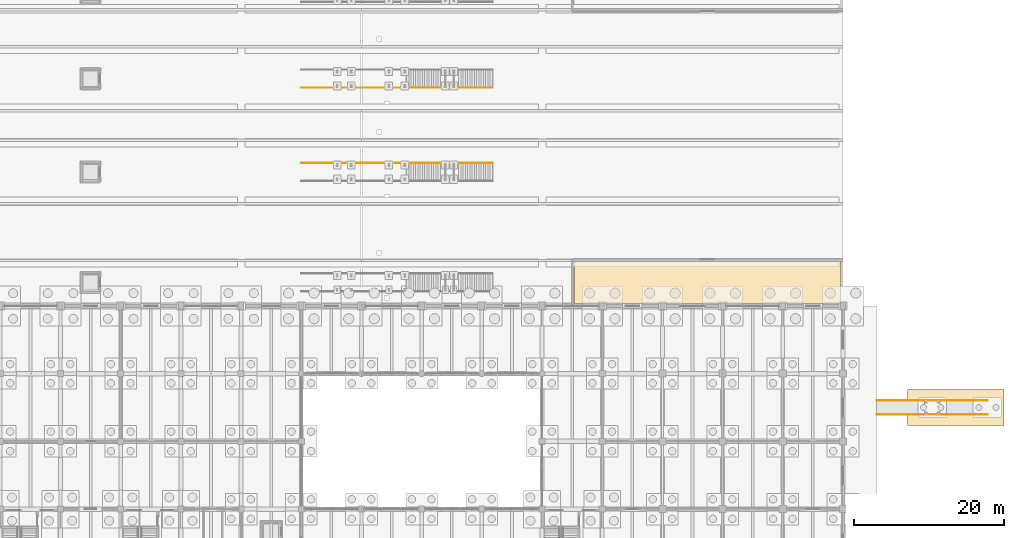
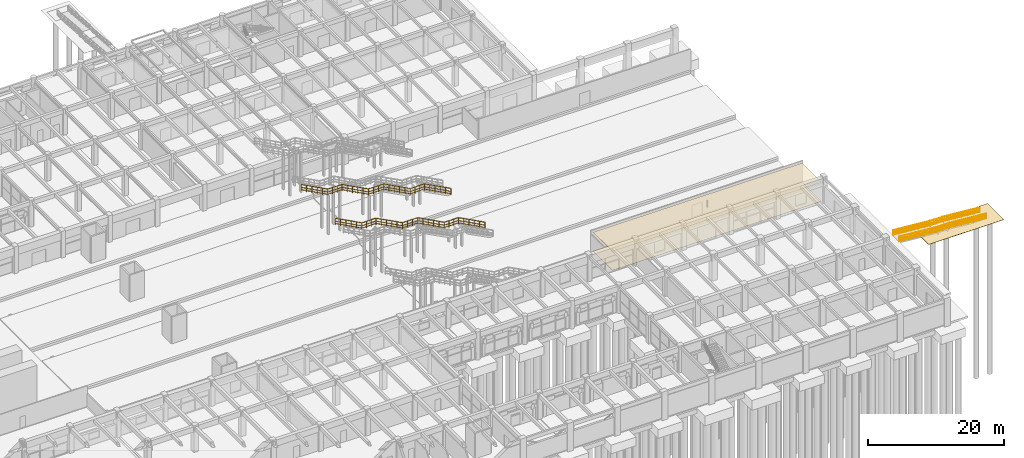
# One storey, part 143 of 147: 4 railings, 3 coverings.
"""IFC4 building model written with IfcOpenShell, lengths in metres."""

from ifc_helpers import new_model, si_unit, direction, frame, origin, origin_2d, place, context, subcontext, project, spatial, polyline, circle, outline, extrude, material, layer, layer_set, type_object, element, save


model = new_model("IFC4")

# Units and contexts
model_context = context("Model", 3, precision=1e-05, world=origin(), true_north=direction((0.0, 1.0)))
body_context = subcontext(model_context, "Body", "Model", "MODEL_VIEW")
ifc_project = project(units=[si_unit("LENGTHUNIT", "METRE"), si_unit("AREAUNIT", "SQUARE_METRE"), si_unit("VOLUMEUNIT", "CUBIC_METRE"), si_unit("PLANEANGLEUNIT", "RADIAN"), si_unit("MASSUNIT", "GRAM", prefix="KILO")], contexts=[model_context])

# Site, building, storey
site_placement = place(None, origin())
site = spatial("IfcSite", under=ifc_project, at=site_placement, CompositionType="ELEMENT")
building_placement = place(site_placement, origin())
building = spatial("IfcBuilding", under=site, at=building_placement, Name="Varnabhumi Central Station", CompositionType="ELEMENT")
storey_placement = place(building_placement, origin())
storey = spatial("IfcBuildingStorey", under=building, at=storey_placement, Name="L00", CompositionType="ELEMENT", Elevation=0.0)

# Coverings
ifc_material_1 = material(Name="Mineral-fibre acoustic tile")
ifc_layer_1 = layer(ifc_material_1, 0.02490234375, Name="Mineral-fibre acoustic tile")
ifc_layer_set_1 = layer_set([ifc_layer_1], Name="Mineral-fibre acoustic tile")
covering_type_1 = type_object("IfcCoveringType", Name="COV-CEIL-ACOUSTIC", PredefinedType="CEILING", material=ifc_layer_set_1)
covering_1_placement = place(storey_placement, frame((0.0, 0.0, 3.419921875)))
element("IfcCovering", 1, at=covering_1_placement, inside=storey, type_object=covering_type_1, Name="Platform 1 Seated Waiting Shelter Acoustic Ceiling", PredefinedType="CEILING", context=body_context, shape_type="SweptSolid", body=[
    extrude(outline(polyline([(148.25, 36.25), (183.75, 36.25), (183.75, 41.949951171875), (148.25, 41.949951171875), (148.25, 36.25)])), origin(), (0.0, 0.0, 1.0), 0.025146484375),
])
ifc_material_2 = material(Name="Vitrified granite stone flooring", Category="masonry")
ifc_layer_2 = layer(ifc_material_2, 0.030029296875, Name="Vitrified granite stone flooring", Category="masonry")
ifc_layer_set_2 = layer_set([ifc_layer_2], Name="Vitrified granite stone flooring")
covering_type_2 = type_object("IfcCoveringType", Name="COV-FLOR-GRANITE", PredefinedType="FLOORING", material=ifc_layer_set_2)
covering_2_placement = place(storey_placement, frame((0.0, 0.0, -1.0849609375)))
element("IfcCovering", 2, at=covering_2_placement, inside=storey, type_object=covering_type_2, Name="Street Forecourt Granite Plaza Apron RMP-WS-1", PredefinedType="FLOORING", context=body_context, shape_type="SweptSolid", body=[
    extrude(outline(polyline([(192.60009765625, 20.10009765625), (205.39990234375, 20.10009765625), (205.39990234375, 24.89990234375), (192.60009765625, 24.89990234375), (192.60009765625, 20.10009765625)])), origin(), (0.0, 0.0, 1.0), 0.034912109375),
])
covering_3_placement = place(storey_placement, origin())
element("IfcCovering", 3, at=covering_3_placement, inside=storey, type_object=covering_type_2, Name="Platform 1 Seated Waiting Shelter Granite Flooring", PredefinedType="FLOORING", context=body_context, shape_type="SweptSolid", body=[
    extrude(outline(polyline([(148.25, 36.25), (183.75, 36.25), (183.75, 41.949951171875), (148.25, 41.949951171875), (148.25, 36.25)])), origin(), (0.0, 0.0, 1.0), 0.030029296875),
])

# Railings
ifc_material_3 = material(Name="Stainless steel Grade 316", Category="steel")
railing_type_1 = type_object("IfcRailingType", Name="RAIL-RAMP-920", PredefinedType="HANDRAIL", material=ifc_material_3)
railing_1_placement = place(storey_placement, frame((203.199951171875, 21.580078125, -1.050048828125)))
element("IfcRailing", 4, at=railing_1_placement, inside=storey, type_object=railing_type_1, Name="RMP-WS-1 Handrail L", PredefinedType="HANDRAIL", context=body_context, shape_type="SweptSolid", body=[
    extrude(circle(Radius=0.02392578125, at=origin_2d()), frame((0.0, 0.0, 0.89599609375), z_axis=(-0.996543893665, 0.0, 0.083067851783), x_axis=(0.0, -1.0, 0.0)), (0.0, 0.0, 1.0), 6.32177734375),
    extrude(circle(Radius=0.01416015625, at=origin_2d()), frame((0.0, 0.0, 0.478271484375), z_axis=(-0.996543893665, 0.0, 0.083067851783), x_axis=(0.0, -1.0, 0.0)), (0.0, 0.0, 1.0), 6.32177734375),
    extrude(circle(Radius=0.01416015625, at=origin_2d()), frame((0.0, 0.0, 0.147216796875), z_axis=(-0.996543893665, 0.0, 0.083067851783), x_axis=(0.0, -1.0, 0.0)), (0.0, 0.0, 1.0), 6.32177734375),
    extrude(circle(Radius=0.02392578125, at=origin_2d()), frame((-6.300048828125, 0.0, 1.4208984375), z_axis=(-1.0, 0.0, 0.0), x_axis=(0.0, -1.0, 0.0)), (0.0, 0.0, 1.0), 2.099853515625),
    extrude(circle(Radius=0.01416015625, at=origin_2d()), frame((-6.300048828125, 0.0, 1.00341796875), z_axis=(-1.0, 0.0, 0.0), x_axis=(0.0, -1.0, 0.0)), (0.0, 0.0, 1.0), 2.099853515625),
    extrude(circle(Radius=0.01416015625, at=origin_2d()), frame((-6.300048828125, 0.0, 0.67236328125), z_axis=(-1.0, 0.0, 0.0), x_axis=(0.0, -1.0, 0.0)), (0.0, 0.0, 1.0), 2.099853515625),
    extrude(circle(Radius=0.02392578125, at=origin_2d()), frame((-8.39990234375, 0.0, 1.4208984375), z_axis=(-0.996547089785, 0.0, 0.083029499827), x_axis=(0.0, -1.0, 0.0)), (0.0, 0.0, 1.0), 6.32177734375),
    extrude(circle(Radius=0.01416015625, at=origin_2d()), frame((-8.39990234375, 0.0, 1.00341796875), z_axis=(-0.996547089785, 0.0, 0.083029499827), x_axis=(0.0, -1.0, 0.0)), (0.0, 0.0, 1.0), 6.32177734375),
    extrude(circle(Radius=0.01416015625, at=origin_2d()), frame((-8.39990234375, 0.0, 0.67236328125), z_axis=(-0.996547089785, 0.0, 0.083029499827), x_axis=(0.0, -1.0, 0.0)), (0.0, 0.0, 1.0), 6.32177734375),
    extrude(circle(Radius=0.02099609375, at=origin_2d()), origin(), (0.0, 0.0, 1.0), 0.871826171875),
    extrude(circle(Radius=0.02099609375, at=origin_2d()), frame((-1.050048828125, 0.0, 0.08740234375)), (0.0, 0.0, 1.0), 0.871826171875),
    extrude(circle(Radius=0.02099609375, at=origin_2d()), frame((-2.10009765625, 0.0, 0.175048828125)), (0.0, 0.0, 1.0), 0.871826171875),
    extrude(circle(Radius=0.02099609375, at=origin_2d()), frame((-3.14990234375, 0.0, 0.2626953125)), (0.0, 0.0, 1.0), 0.871826171875),
    extrude(circle(Radius=0.02099609375, at=origin_2d()), frame((-4.199951171875, 0.0, 0.35009765625)), (0.0, 0.0, 1.0), 0.871826171875),
    extrude(circle(Radius=0.02099609375, at=origin_2d()), frame((-5.25, 0.0, 0.4375)), (0.0, 0.0, 1.0), 0.871826171875),
    extrude(circle(Radius=0.02099609375, at=origin_2d()), frame((-6.300048828125, 0.0, 0.525146484375)), (0.0, 0.0, 1.0), 0.871826171875),
    extrude(circle(Radius=0.02099609375, at=origin_2d()), frame((-7.35009765625, 0.0, 0.525146484375)), (0.0, 0.0, 1.0), 0.871826171875),
    extrude(circle(Radius=0.02099609375, at=origin_2d()), frame((-8.39990234375, 0.0, 0.525146484375)), (0.0, 0.0, 1.0), 0.871826171875),
    extrude(circle(Radius=0.02099609375, at=origin_2d()), frame((-9.449951171875, 0.0, 0.612548828125)), (0.0, 0.0, 1.0), 0.871826171875),
    extrude(circle(Radius=0.02099609375, at=origin_2d()), frame((-10.5, 0.0, 0.7001953125)), (0.0, 0.0, 1.0), 0.871826171875),
    extrude(circle(Radius=0.02099609375, at=origin_2d()), frame((-11.5498046875, 0.0, 0.78759765625)), (0.0, 0.0, 1.0), 0.871826171875),
    extrude(circle(Radius=0.02099609375, at=origin_2d()), frame((-12.599853515625, 0.0, 0.875)), (0.0, 0.0, 1.0), 0.871826171875),
    extrude(circle(Radius=0.02099609375, at=origin_2d()), frame((-13.64990234375, 0.0, 0.962646484375)), (0.0, 0.0, 1.0), 0.871826171875),
    extrude(circle(Radius=0.02099609375, at=origin_2d()), frame((-14.699951171875, 0.0, 1.050048828125)), (0.0, 0.0, 1.0), 0.871826171875),
])
railing_2_placement = place(storey_placement, frame((203.199951171875, 23.419921875, -1.050048828125)))
element("IfcRailing", 5, at=railing_2_placement, inside=storey, type_object=railing_type_1, Name="RMP-WS-1 Handrail R", PredefinedType="HANDRAIL", context=body_context, shape_type="SweptSolid", body=[
    extrude(circle(Radius=0.02392578125, at=origin_2d()), frame((0.0, 0.0, 0.89599609375), z_axis=(-0.996543893665, 0.0, 0.083067851783), x_axis=(0.0, -1.0, 0.0)), (0.0, 0.0, 1.0), 6.32177734375),
    extrude(circle(Radius=0.01416015625, at=origin_2d()), frame((0.0, 0.0, 0.478271484375), z_axis=(-0.996543893665, 0.0, 0.083067851783), x_axis=(0.0, -1.0, 0.0)), (0.0, 0.0, 1.0), 6.32177734375),
    extrude(circle(Radius=0.01416015625, at=origin_2d()), frame((0.0, 0.0, 0.147216796875), z_axis=(-0.996543893665, 0.0, 0.083067851783), x_axis=(0.0, -1.0, 0.0)), (0.0, 0.0, 1.0), 6.32177734375),
    extrude(circle(Radius=0.02392578125, at=origin_2d()), frame((-6.300048828125, 0.0, 1.4208984375), z_axis=(-1.0, 0.0, 0.0), x_axis=(0.0, -1.0, 0.0)), (0.0, 0.0, 1.0), 2.099853515625),
    extrude(circle(Radius=0.01416015625, at=origin_2d()), frame((-6.300048828125, 0.0, 1.00341796875), z_axis=(-1.0, 0.0, 0.0), x_axis=(0.0, -1.0, 0.0)), (0.0, 0.0, 1.0), 2.099853515625),
    extrude(circle(Radius=0.01416015625, at=origin_2d()), frame((-6.300048828125, 0.0, 0.67236328125), z_axis=(-1.0, 0.0, 0.0), x_axis=(0.0, -1.0, 0.0)), (0.0, 0.0, 1.0), 2.099853515625),
    extrude(circle(Radius=0.02392578125, at=origin_2d()), frame((-8.39990234375, 0.0, 1.4208984375), z_axis=(-0.996547089785, 0.0, 0.083029499827), x_axis=(0.0, -1.0, 0.0)), (0.0, 0.0, 1.0), 6.32177734375),
    extrude(circle(Radius=0.01416015625, at=origin_2d()), frame((-8.39990234375, 0.0, 1.00341796875), z_axis=(-0.996547089785, 0.0, 0.083029499827), x_axis=(0.0, -1.0, 0.0)), (0.0, 0.0, 1.0), 6.32177734375),
    extrude(circle(Radius=0.01416015625, at=origin_2d()), frame((-8.39990234375, 0.0, 0.67236328125), z_axis=(-0.996547089785, 0.0, 0.083029499827), x_axis=(0.0, -1.0, 0.0)), (0.0, 0.0, 1.0), 6.32177734375),
    extrude(circle(Radius=0.02099609375, at=origin_2d()), origin(), (0.0, 0.0, 1.0), 0.871826171875),
    extrude(circle(Radius=0.02099609375, at=origin_2d()), frame((-1.050048828125, 0.0, 0.08740234375)), (0.0, 0.0, 1.0), 0.871826171875),
    extrude(circle(Radius=0.02099609375, at=origin_2d()), frame((-2.10009765625, 0.0, 0.175048828125)), (0.0, 0.0, 1.0), 0.871826171875),
    extrude(circle(Radius=0.02099609375, at=origin_2d()), frame((-3.14990234375, 0.0, 0.2626953125)), (0.0, 0.0, 1.0), 0.871826171875),
    extrude(circle(Radius=0.02099609375, at=origin_2d()), frame((-4.199951171875, 0.0, 0.35009765625)), (0.0, 0.0, 1.0), 0.871826171875),
    extrude(circle(Radius=0.02099609375, at=origin_2d()), frame((-5.25, 0.0, 0.4375)), (0.0, 0.0, 1.0), 0.871826171875),
    extrude(circle(Radius=0.02099609375, at=origin_2d()), frame((-6.300048828125, 0.0, 0.525146484375)), (0.0, 0.0, 1.0), 0.871826171875),
    extrude(circle(Radius=0.02099609375, at=origin_2d()), frame((-7.35009765625, 0.0, 0.525146484375)), (0.0, 0.0, 1.0), 0.871826171875),
    extrude(circle(Radius=0.02099609375, at=origin_2d()), frame((-8.39990234375, 0.0, 0.525146484375)), (0.0, 0.0, 1.0), 0.871826171875),
    extrude(circle(Radius=0.02099609375, at=origin_2d()), frame((-9.449951171875, 0.0, 0.612548828125)), (0.0, 0.0, 1.0), 0.871826171875),
    extrude(circle(Radius=0.02099609375, at=origin_2d()), frame((-10.5, 0.0, 0.7001953125)), (0.0, 0.0, 1.0), 0.871826171875),
    extrude(circle(Radius=0.02099609375, at=origin_2d()), frame((-11.5498046875, 0.0, 0.78759765625)), (0.0, 0.0, 1.0), 0.871826171875),
    extrude(circle(Radius=0.02099609375, at=origin_2d()), frame((-12.599853515625, 0.0, 0.875)), (0.0, 0.0, 1.0), 0.871826171875),
    extrude(circle(Radius=0.02099609375, at=origin_2d()), frame((-13.64990234375, 0.0, 0.962646484375)), (0.0, 0.0, 1.0), 0.871826171875),
    extrude(circle(Radius=0.02099609375, at=origin_2d()), frame((-14.699951171875, 0.0, 1.050048828125)), (0.0, 0.0, 1.0), 0.871826171875),
])
railing_type_2 = type_object("IfcRailingType", Name="RAIL-STAIR-GRD-1150", PredefinedType="GUARDRAIL", material=ifc_material_3)
railing_3_placement = place(storey_placement, frame((137.39990234375, 55.0, 0.0)))
element("IfcRailing", 6, at=railing_3_placement, inside=storey, type_object=railing_type_2, Name="Platform 2 Concourse Stair Guard N", PredefinedType="GUARDRAIL", context=body_context, shape_type="SweptSolid", body=[
    extrude(circle(Radius=0.02392578125, at=origin_2d()), frame((0.0, 0.0, 1.1259765625), z_axis=(-0.882360891967, 0.0, 0.470573327259), x_axis=(0.0, -1.0, 0.0)), (0.0, 0.0, 1.0), 5.099853515625),
    extrude(circle(Radius=0.01416015625, at=origin_2d()), frame((0.0, 0.0, 0.597900390625), z_axis=(-0.882360891967, 0.0, 0.470573327259), x_axis=(0.0, -1.0, 0.0)), (0.0, 0.0, 1.0), 5.099853515625),
    extrude(circle(Radius=0.01416015625, at=origin_2d()), frame((0.0, 0.0, 0.18408203125), z_axis=(-0.882360891967, 0.0, 0.470573327259), x_axis=(0.0, -1.0, 0.0)), (0.0, 0.0, 1.0), 5.099853515625),
    extrude(circle(Radius=0.02392578125, at=origin_2d()), frame((-4.5, 0.0, 3.52587890625), z_axis=(-1.0, 0.0, 0.0), x_axis=(0.0, -1.0, 0.0)), (0.0, 0.0, 1.0), 2.39990234375),
    extrude(circle(Radius=0.01416015625, at=origin_2d()), frame((-4.5, 0.0, 2.997802734375), z_axis=(-1.0, 0.0, 0.0), x_axis=(0.0, -1.0, 0.0)), (0.0, 0.0, 1.0), 2.39990234375),
    extrude(circle(Radius=0.01416015625, at=origin_2d()), frame((-4.5, 0.0, 2.583984375), z_axis=(-1.0, 0.0, 0.0), x_axis=(0.0, -1.0, 0.0)), (0.0, 0.0, 1.0), 2.39990234375),
    extrude(circle(Radius=0.02392578125, at=origin_2d()), frame((-6.89990234375, 0.0, 3.52587890625), z_axis=(-0.882341014787, 0.0, 0.470610596591), x_axis=(0.0, -1.0, 0.0)), (0.0, 0.0, 1.0), 5.10009765625),
    extrude(circle(Radius=0.01416015625, at=origin_2d()), frame((-6.89990234375, 0.0, 2.997802734375), z_axis=(-0.882341014787, 0.0, 0.470610596591), x_axis=(0.0, -1.0, 0.0)), (0.0, 0.0, 1.0), 5.10009765625),
    extrude(circle(Radius=0.01416015625, at=origin_2d()), frame((-6.89990234375, 0.0, 2.583984375), z_axis=(-0.882341014787, 0.0, 0.470610596591), x_axis=(0.0, -1.0, 0.0)), (0.0, 0.0, 1.0), 5.10009765625),
    extrude(circle(Radius=0.02392578125, at=origin_2d()), frame((-11.39990234375, 0.0, 5.92578125), z_axis=(-1.0, 0.0, 0.0), x_axis=(0.0, -1.0, 0.0)), (0.0, 0.0, 1.0), 2.60009765625),
    extrude(circle(Radius=0.01416015625, at=origin_2d()), frame((-11.39990234375, 0.0, 5.39794921875), z_axis=(-1.0, 0.0, 0.0), x_axis=(0.0, -1.0, 0.0)), (0.0, 0.0, 1.0), 2.60009765625),
    extrude(circle(Radius=0.01416015625, at=origin_2d()), frame((-11.39990234375, 0.0, 4.984130859375), z_axis=(-1.0, 0.0, 0.0), x_axis=(0.0, -1.0, 0.0)), (0.0, 0.0, 1.0), 2.60009765625),
    extrude(circle(Radius=0.02392578125, at=origin_2d()), frame((-14.0, 0.0, 5.92578125), z_axis=(-0.882360891967, 0.0, 0.470573327259), x_axis=(0.0, -1.0, 0.0)), (0.0, 0.0, 1.0), 5.099853515625),
    extrude(circle(Radius=0.01416015625, at=origin_2d()), frame((-14.0, 0.0, 5.39794921875), z_axis=(-0.882360891967, 0.0, 0.470573327259), x_axis=(0.0, -1.0, 0.0)), (0.0, 0.0, 1.0), 5.099853515625),
    extrude(circle(Radius=0.01416015625, at=origin_2d()), frame((-14.0, 0.0, 4.984130859375), z_axis=(-0.882360891967, 0.0, 0.470573327259), x_axis=(0.0, -1.0, 0.0)), (0.0, 0.0, 1.0), 5.099853515625),
    extrude(circle(Radius=0.02392578125, at=origin_2d()), frame((-18.5, 0.0, 8.32568359375), z_axis=(-1.0, 0.0, 0.0), x_axis=(0.0, -1.0, 0.0)), (0.0, 0.0, 1.0), 2.39990234375),
    extrude(circle(Radius=0.01416015625, at=origin_2d()), frame((-18.5, 0.0, 7.7978515625), z_axis=(-1.0, 0.0, 0.0), x_axis=(0.0, -1.0, 0.0)), (0.0, 0.0, 1.0), 2.39990234375),
    extrude(circle(Radius=0.01416015625, at=origin_2d()), frame((-18.5, 0.0, 7.384033203125), z_axis=(-1.0, 0.0, 0.0), x_axis=(0.0, -1.0, 0.0)), (0.0, 0.0, 1.0), 2.39990234375),
    extrude(circle(Radius=0.02392578125, at=origin_2d()), frame((-20.89990234375, 0.0, 8.32568359375), z_axis=(-0.882341014787, 0.0, 0.470610596591), x_axis=(0.0, -1.0, 0.0)), (0.0, 0.0, 1.0), 5.10009765625),
    extrude(circle(Radius=0.01416015625, at=origin_2d()), frame((-20.89990234375, 0.0, 7.7978515625), z_axis=(-0.882341014787, 0.0, 0.470610596591), x_axis=(0.0, -1.0, 0.0)), (0.0, 0.0, 1.0), 5.10009765625),
    extrude(circle(Radius=0.01416015625, at=origin_2d()), frame((-20.89990234375, 0.0, 7.384033203125), z_axis=(-0.882341014787, 0.0, 0.470610596591), x_axis=(0.0, -1.0, 0.0)), (0.0, 0.0, 1.0), 5.10009765625),
    extrude(circle(Radius=0.02099609375, at=origin_2d()), origin(), (0.0, 0.0, 1.0), 1.101806640625),
    extrude(circle(Radius=0.02099609375, at=origin_2d()), frame((-0.89990234375, 0.0, 0.47998046875)), (0.0, 0.0, 1.0), 1.101806640625),
    extrude(circle(Radius=0.02099609375, at=origin_2d()), frame((-1.800048828125, 0.0, 0.9599609375)), (0.0, 0.0, 1.0), 1.101806640625),
    extrude(circle(Radius=0.02099609375, at=origin_2d()), frame((-2.699951171875, 0.0, 1.43994140625)), (0.0, 0.0, 1.0), 1.101806640625),
    extrude(circle(Radius=0.02099609375, at=origin_2d()), frame((-3.60009765625, 0.0, 1.919921875)), (0.0, 0.0, 1.0), 1.101806640625),
    extrude(circle(Radius=0.02099609375, at=origin_2d()), frame((-4.5, 0.0, 2.39990234375)), (0.0, 0.0, 1.0), 1.101806640625),
    extrude(circle(Radius=0.02099609375, at=origin_2d()), frame((-5.300048828125, 0.0, 2.39990234375)), (0.0, 0.0, 1.0), 1.101806640625),
    extrude(circle(Radius=0.02099609375, at=origin_2d()), frame((-6.099853515625, 0.0, 2.39990234375)), (0.0, 0.0, 1.0), 1.101806640625),
    extrude(circle(Radius=0.02099609375, at=origin_2d()), frame((-6.89990234375, 0.0, 2.39990234375)), (0.0, 0.0, 1.0), 1.101806640625),
    extrude(circle(Radius=0.02099609375, at=origin_2d()), frame((-7.7998046875, 0.0, 2.8798828125)), (0.0, 0.0, 1.0), 1.101806640625),
    extrude(circle(Radius=0.02099609375, at=origin_2d()), frame((-8.699951171875, 0.0, 3.35986328125)), (0.0, 0.0, 1.0), 1.101806640625),
    extrude(circle(Radius=0.02099609375, at=origin_2d()), frame((-9.599853515625, 0.0, 3.840087890625)), (0.0, 0.0, 1.0), 1.101806640625),
    extrude(circle(Radius=0.02099609375, at=origin_2d()), frame((-10.5, 0.0, 4.320068359375)), (0.0, 0.0, 1.0), 1.101806640625),
    extrude(circle(Radius=0.02099609375, at=origin_2d()), frame((-11.39990234375, 0.0, 4.800048828125)), (0.0, 0.0, 1.0), 1.101806640625),
    extrude(circle(Radius=0.02099609375, at=origin_2d()), frame((-12.2666015625, 0.0, 4.800048828125)), (0.0, 0.0, 1.0), 1.101806640625),
    extrude(circle(Radius=0.02099609375, at=origin_2d()), frame((-13.13330078125, 0.0, 4.800048828125)), (0.0, 0.0, 1.0), 1.101806640625),
    extrude(circle(Radius=0.02099609375, at=origin_2d()), frame((-14.0, 0.0, 4.800048828125)), (0.0, 0.0, 1.0), 1.101806640625),
    extrude(circle(Radius=0.02099609375, at=origin_2d()), frame((-14.89990234375, 0.0, 5.280029296875)), (0.0, 0.0, 1.0), 1.101806640625),
    extrude(circle(Radius=0.02099609375, at=origin_2d()), frame((-15.800048828125, 0.0, 5.760009765625)), (0.0, 0.0, 1.0), 1.101806640625),
    extrude(circle(Radius=0.02099609375, at=origin_2d()), frame((-16.699951171875, 0.0, 6.239990234375)), (0.0, 0.0, 1.0), 1.101806640625),
    extrude(circle(Radius=0.02099609375, at=origin_2d()), frame((-17.60009765625, 0.0, 6.719970703125)), (0.0, 0.0, 1.0), 1.101806640625),
    extrude(circle(Radius=0.02099609375, at=origin_2d()), frame((-18.5, 0.0, 7.199951171875)), (0.0, 0.0, 1.0), 1.101806640625),
    extrude(circle(Radius=0.02099609375, at=origin_2d()), frame((-19.300048828125, 0.0, 7.199951171875)), (0.0, 0.0, 1.0), 1.101806640625),
    extrude(circle(Radius=0.02099609375, at=origin_2d()), frame((-20.099853515625, 0.0, 7.199951171875)), (0.0, 0.0, 1.0), 1.101806640625),
    extrude(circle(Radius=0.02099609375, at=origin_2d()), frame((-20.89990234375, 0.0, 7.199951171875)), (0.0, 0.0, 1.0), 1.101806640625),
    extrude(circle(Radius=0.02099609375, at=origin_2d()), frame((-21.7998046875, 0.0, 7.679931640625)), (0.0, 0.0, 1.0), 1.101806640625),
    extrude(circle(Radius=0.02099609375, at=origin_2d()), frame((-22.699951171875, 0.0, 8.159912109375)), (0.0, 0.0, 1.0), 1.101806640625),
    extrude(circle(Radius=0.02099609375, at=origin_2d()), frame((-23.599853515625, 0.0, 8.64013671875)), (0.0, 0.0, 1.0), 1.101806640625),
    extrude(circle(Radius=0.02099609375, at=origin_2d()), frame((-24.5, 0.0, 9.1201171875)), (0.0, 0.0, 1.0), 1.101806640625),
    extrude(circle(Radius=0.02099609375, at=origin_2d()), frame((-25.39990234375, 0.0, 9.60009765625)), (0.0, 0.0, 1.0), 1.101806640625),
])
railing_4_placement = place(storey_placement, frame((137.39990234375, 65.0, 0.0)))
element("IfcRailing", 7, at=railing_4_placement, inside=storey, type_object=railing_type_2, Name="Platform 3 Concourse Stair Guard S", PredefinedType="GUARDRAIL", context=body_context, shape_type="SweptSolid", body=[
    extrude(circle(Radius=0.02392578125, at=origin_2d()), frame((0.0, 0.0, 1.1259765625), z_axis=(-0.882360891967, 0.0, 0.470573327259), x_axis=(0.0, -1.0, 0.0)), (0.0, 0.0, 1.0), 5.099853515625),
    extrude(circle(Radius=0.01416015625, at=origin_2d()), frame((0.0, 0.0, 0.597900390625), z_axis=(-0.882360891967, 0.0, 0.470573327259), x_axis=(0.0, -1.0, 0.0)), (0.0, 0.0, 1.0), 5.099853515625),
    extrude(circle(Radius=0.01416015625, at=origin_2d()), frame((0.0, 0.0, 0.18408203125), z_axis=(-0.882360891967, 0.0, 0.470573327259), x_axis=(0.0, -1.0, 0.0)), (0.0, 0.0, 1.0), 5.099853515625),
    extrude(circle(Radius=0.02392578125, at=origin_2d()), frame((-4.5, 0.0, 3.52587890625), z_axis=(-1.0, 0.0, 0.0), x_axis=(0.0, -1.0, 0.0)), (0.0, 0.0, 1.0), 2.39990234375),
    extrude(circle(Radius=0.01416015625, at=origin_2d()), frame((-4.5, 0.0, 2.997802734375), z_axis=(-1.0, 0.0, 0.0), x_axis=(0.0, -1.0, 0.0)), (0.0, 0.0, 1.0), 2.39990234375),
    extrude(circle(Radius=0.01416015625, at=origin_2d()), frame((-4.5, 0.0, 2.583984375), z_axis=(-1.0, 0.0, 0.0), x_axis=(0.0, -1.0, 0.0)), (0.0, 0.0, 1.0), 2.39990234375),
    extrude(circle(Radius=0.02392578125, at=origin_2d()), frame((-6.89990234375, 0.0, 3.52587890625), z_axis=(-0.882341014787, 0.0, 0.470610596591), x_axis=(0.0, -1.0, 0.0)), (0.0, 0.0, 1.0), 5.10009765625),
    extrude(circle(Radius=0.01416015625, at=origin_2d()), frame((-6.89990234375, 0.0, 2.997802734375), z_axis=(-0.882341014787, 0.0, 0.470610596591), x_axis=(0.0, -1.0, 0.0)), (0.0, 0.0, 1.0), 5.10009765625),
    extrude(circle(Radius=0.01416015625, at=origin_2d()), frame((-6.89990234375, 0.0, 2.583984375), z_axis=(-0.882341014787, 0.0, 0.470610596591), x_axis=(0.0, -1.0, 0.0)), (0.0, 0.0, 1.0), 5.10009765625),
    extrude(circle(Radius=0.02392578125, at=origin_2d()), frame((-11.39990234375, 0.0, 5.92578125), z_axis=(-1.0, 0.0, 0.0), x_axis=(0.0, -1.0, 0.0)), (0.0, 0.0, 1.0), 2.60009765625),
    extrude(circle(Radius=0.01416015625, at=origin_2d()), frame((-11.39990234375, 0.0, 5.39794921875), z_axis=(-1.0, 0.0, 0.0), x_axis=(0.0, -1.0, 0.0)), (0.0, 0.0, 1.0), 2.60009765625),
    extrude(circle(Radius=0.01416015625, at=origin_2d()), frame((-11.39990234375, 0.0, 4.984130859375), z_axis=(-1.0, 0.0, 0.0), x_axis=(0.0, -1.0, 0.0)), (0.0, 0.0, 1.0), 2.60009765625),
    extrude(circle(Radius=0.02392578125, at=origin_2d()), frame((-14.0, 0.0, 5.92578125), z_axis=(-0.882360891967, 0.0, 0.470573327259), x_axis=(0.0, -1.0, 0.0)), (0.0, 0.0, 1.0), 5.099853515625),
    extrude(circle(Radius=0.01416015625, at=origin_2d()), frame((-14.0, 0.0, 5.39794921875), z_axis=(-0.882360891967, 0.0, 0.470573327259), x_axis=(0.0, -1.0, 0.0)), (0.0, 0.0, 1.0), 5.099853515625),
    extrude(circle(Radius=0.01416015625, at=origin_2d()), frame((-14.0, 0.0, 4.984130859375), z_axis=(-0.882360891967, 0.0, 0.470573327259), x_axis=(0.0, -1.0, 0.0)), (0.0, 0.0, 1.0), 5.099853515625),
    extrude(circle(Radius=0.02392578125, at=origin_2d()), frame((-18.5, 0.0, 8.32568359375), z_axis=(-1.0, 0.0, 0.0), x_axis=(0.0, -1.0, 0.0)), (0.0, 0.0, 1.0), 2.39990234375),
    extrude(circle(Radius=0.01416015625, at=origin_2d()), frame((-18.5, 0.0, 7.7978515625), z_axis=(-1.0, 0.0, 0.0), x_axis=(0.0, -1.0, 0.0)), (0.0, 0.0, 1.0), 2.39990234375),
    extrude(circle(Radius=0.01416015625, at=origin_2d()), frame((-18.5, 0.0, 7.384033203125), z_axis=(-1.0, 0.0, 0.0), x_axis=(0.0, -1.0, 0.0)), (0.0, 0.0, 1.0), 2.39990234375),
    extrude(circle(Radius=0.02392578125, at=origin_2d()), frame((-20.89990234375, 0.0, 8.32568359375), z_axis=(-0.882341014787, 0.0, 0.470610596591), x_axis=(0.0, -1.0, 0.0)), (0.0, 0.0, 1.0), 5.10009765625),
    extrude(circle(Radius=0.01416015625, at=origin_2d()), frame((-20.89990234375, 0.0, 7.7978515625), z_axis=(-0.882341014787, 0.0, 0.470610596591), x_axis=(0.0, -1.0, 0.0)), (0.0, 0.0, 1.0), 5.10009765625),
    extrude(circle(Radius=0.01416015625, at=origin_2d()), frame((-20.89990234375, 0.0, 7.384033203125), z_axis=(-0.882341014787, 0.0, 0.470610596591), x_axis=(0.0, -1.0, 0.0)), (0.0, 0.0, 1.0), 5.10009765625),
    extrude(circle(Radius=0.02099609375, at=origin_2d()), origin(), (0.0, 0.0, 1.0), 1.101806640625),
    extrude(circle(Radius=0.02099609375, at=origin_2d()), frame((-0.89990234375, 0.0, 0.47998046875)), (0.0, 0.0, 1.0), 1.101806640625),
    extrude(circle(Radius=0.02099609375, at=origin_2d()), frame((-1.800048828125, 0.0, 0.9599609375)), (0.0, 0.0, 1.0), 1.101806640625),
    extrude(circle(Radius=0.02099609375, at=origin_2d()), frame((-2.699951171875, 0.0, 1.43994140625)), (0.0, 0.0, 1.0), 1.101806640625),
    extrude(circle(Radius=0.02099609375, at=origin_2d()), frame((-3.60009765625, 0.0, 1.919921875)), (0.0, 0.0, 1.0), 1.101806640625),
    extrude(circle(Radius=0.02099609375, at=origin_2d()), frame((-4.5, 0.0, 2.39990234375)), (0.0, 0.0, 1.0), 1.101806640625),
    extrude(circle(Radius=0.02099609375, at=origin_2d()), frame((-5.300048828125, 0.0, 2.39990234375)), (0.0, 0.0, 1.0), 1.101806640625),
    extrude(circle(Radius=0.02099609375, at=origin_2d()), frame((-6.099853515625, 0.0, 2.39990234375)), (0.0, 0.0, 1.0), 1.101806640625),
    extrude(circle(Radius=0.02099609375, at=origin_2d()), frame((-6.89990234375, 0.0, 2.39990234375)), (0.0, 0.0, 1.0), 1.101806640625),
    extrude(circle(Radius=0.02099609375, at=origin_2d()), frame((-7.7998046875, 0.0, 2.8798828125)), (0.0, 0.0, 1.0), 1.101806640625),
    extrude(circle(Radius=0.02099609375, at=origin_2d()), frame((-8.699951171875, 0.0, 3.35986328125)), (0.0, 0.0, 1.0), 1.101806640625),
    extrude(circle(Radius=0.02099609375, at=origin_2d()), frame((-9.599853515625, 0.0, 3.840087890625)), (0.0, 0.0, 1.0), 1.101806640625),
    extrude(circle(Radius=0.02099609375, at=origin_2d()), frame((-10.5, 0.0, 4.320068359375)), (0.0, 0.0, 1.0), 1.101806640625),
    extrude(circle(Radius=0.02099609375, at=origin_2d()), frame((-11.39990234375, 0.0, 4.800048828125)), (0.0, 0.0, 1.0), 1.101806640625),
    extrude(circle(Radius=0.02099609375, at=origin_2d()), frame((-12.2666015625, 0.0, 4.800048828125)), (0.0, 0.0, 1.0), 1.101806640625),
    extrude(circle(Radius=0.02099609375, at=origin_2d()), frame((-13.13330078125, 0.0, 4.800048828125)), (0.0, 0.0, 1.0), 1.101806640625),
    extrude(circle(Radius=0.02099609375, at=origin_2d()), frame((-14.0, 0.0, 4.800048828125)), (0.0, 0.0, 1.0), 1.101806640625),
    extrude(circle(Radius=0.02099609375, at=origin_2d()), frame((-14.89990234375, 0.0, 5.280029296875)), (0.0, 0.0, 1.0), 1.101806640625),
    extrude(circle(Radius=0.02099609375, at=origin_2d()), frame((-15.800048828125, 0.0, 5.760009765625)), (0.0, 0.0, 1.0), 1.101806640625),
    extrude(circle(Radius=0.02099609375, at=origin_2d()), frame((-16.699951171875, 0.0, 6.239990234375)), (0.0, 0.0, 1.0), 1.101806640625),
    extrude(circle(Radius=0.02099609375, at=origin_2d()), frame((-17.60009765625, 0.0, 6.719970703125)), (0.0, 0.0, 1.0), 1.101806640625),
    extrude(circle(Radius=0.02099609375, at=origin_2d()), frame((-18.5, 0.0, 7.199951171875)), (0.0, 0.0, 1.0), 1.101806640625),
    extrude(circle(Radius=0.02099609375, at=origin_2d()), frame((-19.300048828125, 0.0, 7.199951171875)), (0.0, 0.0, 1.0), 1.101806640625),
    extrude(circle(Radius=0.02099609375, at=origin_2d()), frame((-20.099853515625, 0.0, 7.199951171875)), (0.0, 0.0, 1.0), 1.101806640625),
    extrude(circle(Radius=0.02099609375, at=origin_2d()), frame((-20.89990234375, 0.0, 7.199951171875)), (0.0, 0.0, 1.0), 1.101806640625),
    extrude(circle(Radius=0.02099609375, at=origin_2d()), frame((-21.7998046875, 0.0, 7.679931640625)), (0.0, 0.0, 1.0), 1.101806640625),
    extrude(circle(Radius=0.02099609375, at=origin_2d()), frame((-22.699951171875, 0.0, 8.159912109375)), (0.0, 0.0, 1.0), 1.101806640625),
    extrude(circle(Radius=0.02099609375, at=origin_2d()), frame((-23.599853515625, 0.0, 8.64013671875)), (0.0, 0.0, 1.0), 1.101806640625),
    extrude(circle(Radius=0.02099609375, at=origin_2d()), frame((-24.5, 0.0, 9.1201171875)), (0.0, 0.0, 1.0), 1.101806640625),
    extrude(circle(Radius=0.02099609375, at=origin_2d()), frame((-25.39990234375, 0.0, 9.60009765625)), (0.0, 0.0, 1.0), 1.101806640625),
])

save(model, "model.ifc")
